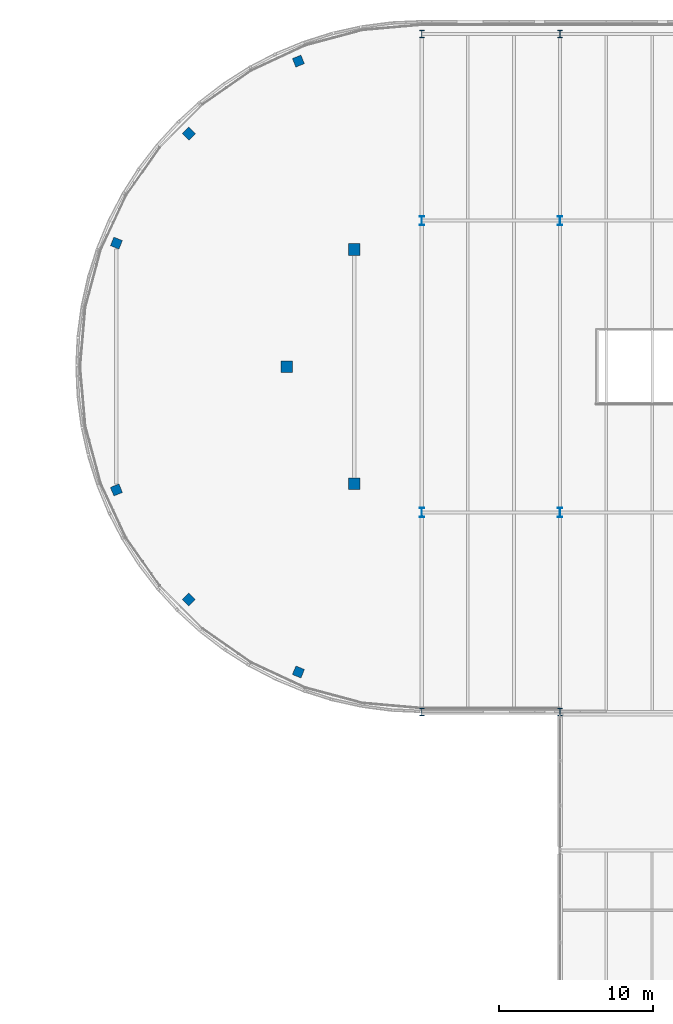
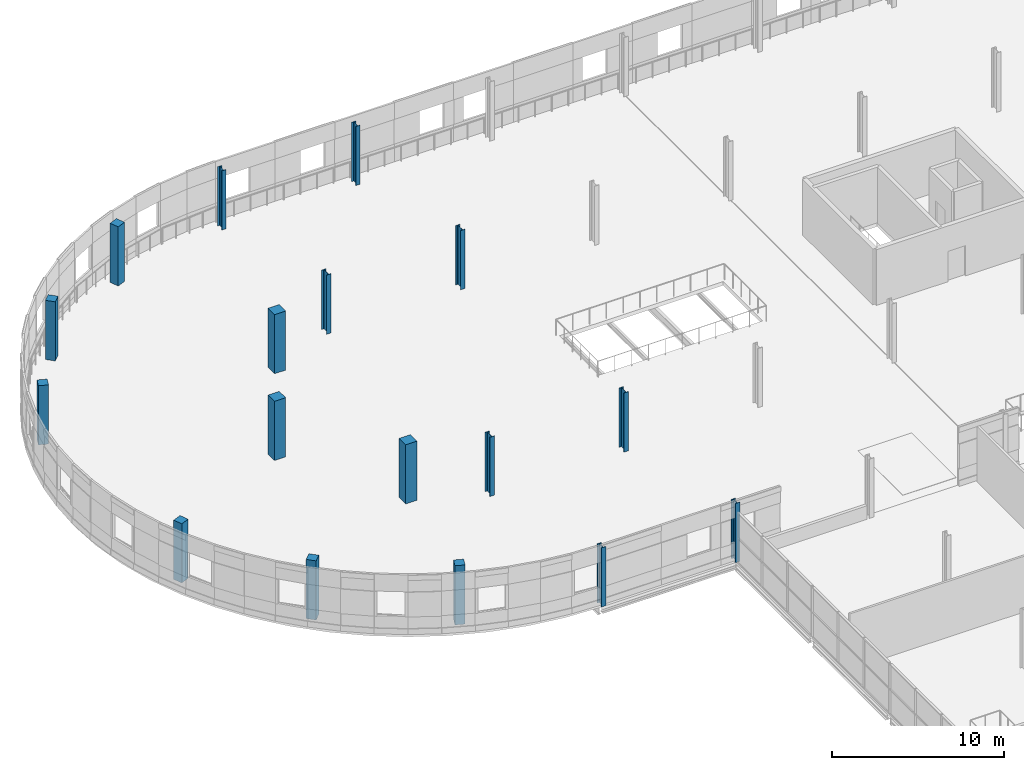
# One storey, part 3 of 88: 17 columns.
"""IFC4 building model written with IfcOpenShell, lengths in metres."""

from ifc_helpers import new_model, si_unit, direction, frame, origin, origin_2d, place, context, subcontext, project, spatial, rectangle, i_section, extrude, material, material_profile, profile_set, type_object, element, save


model = new_model("IFC4")

# Units and contexts
model_context = context("Model", 3, precision=1e-05, world=origin(), true_north=direction((0.0, 1.0)))
body_context = subcontext(model_context, "Body", "Model", "MODEL_VIEW")
ifc_project = project(units=[si_unit("LENGTHUNIT", "METRE"), si_unit("AREAUNIT", "SQUARE_METRE"), si_unit("VOLUMEUNIT", "CUBIC_METRE"), si_unit("PLANEANGLEUNIT", "RADIAN"), si_unit("MASSUNIT", "GRAM", prefix="KILO")], contexts=[model_context])

# Site, building, storey
site_placement = place(None, origin())
site = spatial("IfcSite", under=ifc_project, at=site_placement, CompositionType="ELEMENT")
building_placement = place(site_placement, origin())
building = spatial("IfcBuilding", under=site, at=building_placement, Name="Deido Ridge Mobility Hub", CompositionType="ELEMENT")
storey_placement = place(building_placement, frame((0.0, 0.0, 16.800048828125)))
storey = spatial("IfcBuildingStorey", under=building, at=storey_placement, Name="L04", CompositionType="ELEMENT", Elevation=16.800048828125)

# Columns
ifc_material_1 = material(Name="Steel S355J2 EN 10025-2", Category="steel")
ifc_material_profile_1 = material_profile(ifc_material_1, i_section(OverallWidth=0.300048828125, OverallDepth=0.5, WebThickness=0.014404296875, FlangeThickness=0.028076171875, FilletRadius=0.027099609375, at=origin_2d()), Name="HEB 500")
ifc_profile_set_1 = profile_set([ifc_material_profile_1], Name="Steel S355J2 EN 10025-2")
column_type_1 = type_object("IfcColumnType", Name="COL-HEB500", PredefinedType="COLUMN", material=ifc_profile_set_1)
for number, where, z_axis, x_axis, name in (
    (1, (45.0, 81.0, 0.0), (0.0, 0.0, 1.0), (1.0, 0.0, 0.0), "Structural column C5"),
    (2, (54.0, 81.0, 0.0), (0.0, 0.0, 1.0), (1.0, 0.0, 0.0), "Structural column C5"),
    (3, (45.0, 125.14990234375, 0.0), (0.0, 0.0, 1.0), (1.0, 0.0, 0.0), "Structural column C5"),
    (4, (54.0, 125.14990234375, 0.0), (0.0, 0.0, 1.0), (1.0, 0.0, 0.0), "Structural column C5"),
):
    element("IfcColumn", number, at=place(storey_placement, frame(where, z_axis=z_axis, x_axis=x_axis)), inside=storey, type_object=column_type_1, Name=name, PredefinedType="COLUMN", context=body_context, shape_type="SweptSolid", body=[
        extrude(i_section(OverallWidth=0.300048828125, OverallDepth=0.5, WebThickness=0.014404296875, FlangeThickness=0.028076171875, FilletRadius=0.027099609375, at=origin_2d()), origin(), (0.0, 0.0, 1.0), 4.199951171875),
    ])
ifc_material_profile_2 = material_profile(ifc_material_1, i_section(OverallWidth=0.300048828125, OverallDepth=0.60009765625, WebThickness=0.015380859375, FlangeThickness=0.030029296875, FilletRadius=0.027099609375, at=origin_2d()), Name="HEB 600")
ifc_profile_set_2 = profile_set([ifc_material_profile_2], Name="Steel S355J2 EN 10025-2")
column_type_2 = type_object("IfcColumnType", Name="COL-HEB600", PredefinedType="COLUMN", material=ifc_profile_set_2)
for number, where, z_axis, x_axis, name in (
    (5, (45.0, 94.0, 0.0), (0.0, 0.0, 1.0), (1.0, 0.0, 0.0), "Structural column C4"),
    (6, (45.0, 113.0, 0.0), (0.0, 0.0, 1.0), (1.0, 0.0, 0.0), "Structural column C4"),
    (7, (54.0, 94.0, 0.0), (0.0, 0.0, 1.0), (1.0, 0.0, 0.0), "Structural column C4"),
    (8, (54.0, 113.0, 0.0), (0.0, 0.0, 1.0), (1.0, 0.0, 0.0), "Structural column C4"),
):
    element("IfcColumn", number, at=place(storey_placement, frame(where, z_axis=z_axis, x_axis=x_axis)), inside=storey, type_object=column_type_2, Name=name, PredefinedType="COLUMN", context=body_context, shape_type="SweptSolid", body=[
        extrude(i_section(OverallWidth=0.300048828125, OverallDepth=0.60009765625, WebThickness=0.015380859375, FlangeThickness=0.030029296875, FilletRadius=0.027099609375, at=origin_2d()), origin(), (0.0, 0.0, 1.0), 4.199951171875),
    ])
ifc_material_2 = material(Name="Concrete C40/50", Category="concrete")
ifc_material_profile_3 = material_profile(ifc_material_2, rectangle(XDim=0.60009765625, YDim=0.60009765625, at=origin_2d()), Name="RC COL 600x600")
ifc_profile_set_3 = profile_set([ifc_material_profile_3], Name="Concrete C40/50")
column_type_3 = type_object("IfcColumnType", Name="COL-RC600", PredefinedType="COLUMN", material=ifc_profile_set_3)
for number, where, z_axis, x_axis, name in (
    (9, (36.964599609375, 123.38818359375, 0.0), (0.0, 0.0, 1.0), (-0.374606593416, 0.927183854567, 0.0), "Structural column RC2"),
    (10, (29.83251953125, 118.66748046875, 0.0), (0.0, 0.0, 1.0), (-0.707106781187, 0.707106781187, 0.0), "Structural column RC2"),
    (11, (25.11181640625, 111.535400390625, 0.0), (0.0, 0.0, 1.0), (-0.927183854567, 0.374606593416, 0.0), "Structural column RC2"),
    (12, (25.11181640625, 95.464599609375, 0.0), (0.0, 0.0, 1.0), (-0.927183854567, -0.374606593416, 0.0), "Structural column RC2"),
    (13, (29.83251953125, 88.33251953125, 0.0), (0.0, 0.0, 1.0), (-0.707106781187, -0.707106781187, 0.0), "Structural column RC2"),
    (14, (36.964599609375, 83.61181640625, 0.0), (0.0, 0.0, 1.0), (-0.374606593416, -0.927183854567, 0.0), "Structural column RC2"),
):
    element("IfcColumn", number, at=place(storey_placement, frame(where, z_axis=z_axis, x_axis=x_axis)), inside=storey, type_object=column_type_3, Name=name, PredefinedType="COLUMN", context=body_context, shape_type="SweptSolid", body=[
        extrude(rectangle(XDim=0.60009765625, YDim=0.60009765625, at=origin_2d()), origin(), (0.0, 0.0, 1.0), 4.199951171875),
    ])
ifc_material_profile_4 = material_profile(ifc_material_2, rectangle(XDim=0.75, YDim=0.75, at=origin_2d()), Name="RC COL 750x750")
ifc_profile_set_4 = profile_set([ifc_material_profile_4], Name="Concrete C40/50")
column_type_4 = type_object("IfcColumnType", Name="COL-RC750", PredefinedType="COLUMN", material=ifc_profile_set_4)
for number, where, z_axis, x_axis, name in (
    (15, (40.60009765625, 111.12109375, 0.0), (0.0, 0.0, 1.0), (1.0, 0.0, 0.0), "Structural column RC1"),
    (16, (36.199951171875, 103.5, 0.0), (0.0, 0.0, 1.0), (1.0, 0.0, 0.0), "Structural column RC1"),
    (17, (40.60009765625, 95.87890625, 0.0), (0.0, 0.0, 1.0), (1.0, 0.0, 0.0), "Structural column RC1"),
):
    element("IfcColumn", number, at=place(storey_placement, frame(where, z_axis=z_axis, x_axis=x_axis)), inside=storey, type_object=column_type_4, Name=name, PredefinedType="COLUMN", context=body_context, shape_type="SweptSolid", body=[
        extrude(rectangle(XDim=0.75, YDim=0.75, at=origin_2d()), origin(), (0.0, 0.0, 1.0), 4.199951171875),
    ])

save(model, "model.ifc")
